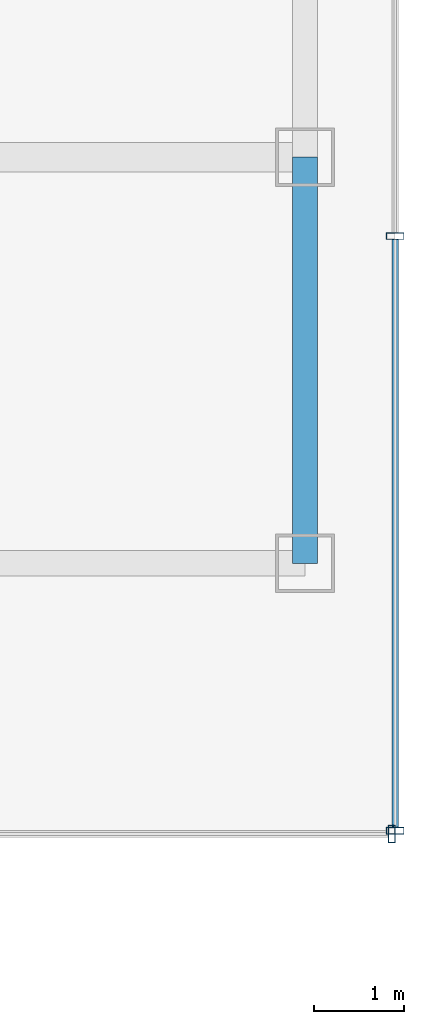
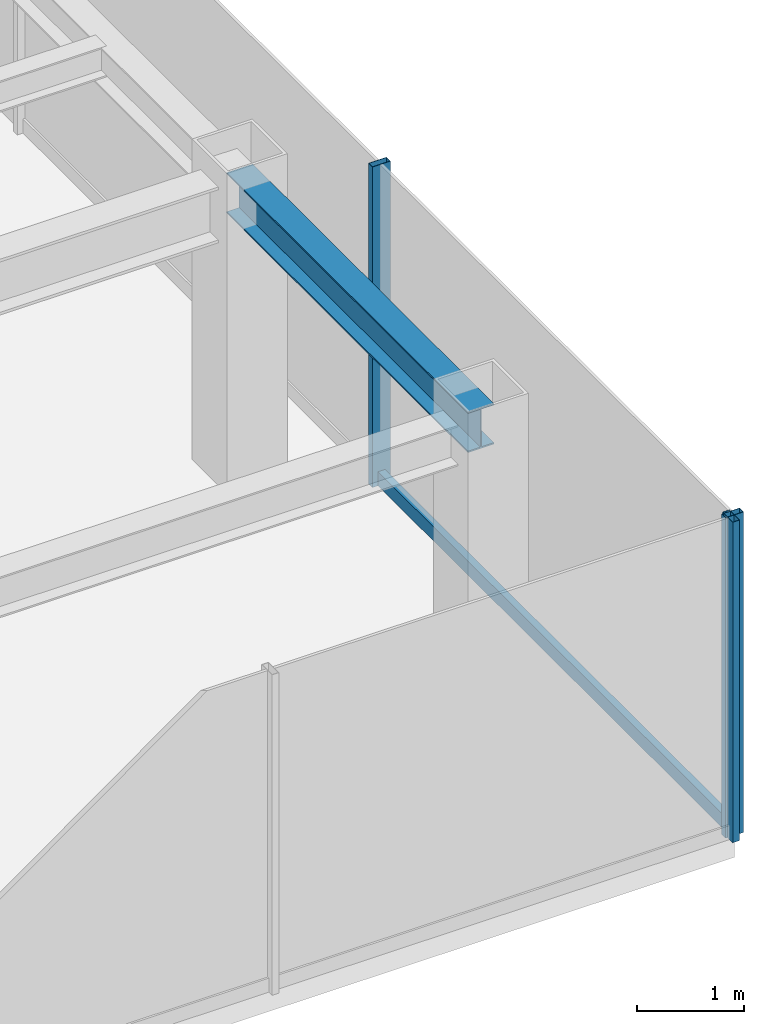
# One storey, part 11 of 25: 4 members, 1 beam, 2 elements without a shape of their own.
"""IFC4 building model written with IfcOpenShell, lengths in metres."""

import ifcopenshell
import ifcopenshell.guid

model = None  # the IFC model being written
_history = None  # IfcOwnerHistory: only IFC2X3 demands one
_inside = {}  # id of a spatial element -> (the spatial element, [elements in it])
_under = {}  # id of a project, library or spatial element -> (it, [spatial elements below it])
_declared = {}  # id of a project -> (the project, [libraries it declares])
_typed = {}  # id of a type object -> (the type object, [elements of that type])
_made_of = {}  # id of a material, layer set ... -> (it, [elements and type objects made of it])


def new_model(schema):
    """Start an empty IFC model of exactly this schema.

    Asked for "IFC4X3", IfcOpenShell would pick the latest addendum, in which some entities
    have other attributes; the version numbers below select the first issue.
    IFC2X3 requires an IfcOwnerHistory on every rooted entity: one is made here for all.
    """
    global model, _history
    if schema == "IFC4X3":
        model = ifcopenshell.file(schema_version=(4, 3, 0, 0))
    else:
        model = ifcopenshell.file(schema=schema)
    _inside.clear()
    _under.clear()
    _declared.clear()
    _typed.clear()
    _made_of.clear()
    _history = None
    if model.schema == "IFC2X3":
        org = make("IfcOrganization", Name="unknown")
        user = make(
            "IfcPersonAndOrganization",
            ThePerson=make("IfcPerson", FamilyName="unknown"),
            TheOrganization=org,
        )
        app = make(
            "IfcApplication",
            ApplicationDeveloper=org,
            Version="unknown",
            ApplicationFullName="unknown",
            ApplicationIdentifier="unknown",
        )
        _history = make(
            "IfcOwnerHistory",
            OwningUser=user,
            OwningApplication=app,
            ChangeAction="ADDED",
            CreationDate=0,
        )
    return model


def make(cls, **values):
    """One entity of the class cls with the attributes given. An attribute that is None is left unset."""
    return model.create_entity(
        cls, **{name: value for name, value in values.items() if value is not None}
    )


def rooted(cls, **values):
    """An entity with a GlobalId (a new one), such as an element, a storey or a relation."""
    return make(cls, GlobalId=ifcopenshell.guid.new(), OwnerHistory=_history, **values)


def si_unit(unit_type, name, prefix=None):
    """IfcSIUnit, for example si_unit("LENGTHUNIT", "METRE", prefix="MILLI")."""
    return make("IfcSIUnit", UnitType=unit_type, Prefix=prefix, Name=name)


def derived_unit(unit_type, elements):
    """IfcDerivedUnit: a product of units, each with its exponent."""
    return make(
        "IfcDerivedUnit",
        Elements=[
            make("IfcDerivedUnitElement", Unit=unit, Exponent=power)
            for unit, power in elements
        ],
        UnitType=unit_type,
    )


def assignment(units):
    """IfcUnitAssignment: the units of a project."""
    return None if units is None else make("IfcUnitAssignment", Units=units)


def point(xyz):
    """IfcCartesianPoint."""
    return None if xyz is None else make("IfcCartesianPoint", Coordinates=xyz)


def direction(xyz):
    """IfcDirection."""
    return None if xyz is None else make("IfcDirection", DirectionRatios=xyz)


def frame(location, z_axis=None, x_axis=None):
    """IfcAxis2Placement3D, a coordinate frame: its origin and axes. An axis left out is left unset."""
    return make(
        "IfcAxis2Placement3D",
        Location=point(location),
        Axis=direction(z_axis),
        RefDirection=direction(x_axis),
    )


def frame_2d(location, x_axis=None):
    """IfcAxis2Placement2D, a coordinate frame in the plane: its origin and x axis."""
    return make(
        "IfcAxis2Placement2D", Location=point(location), RefDirection=direction(x_axis)
    )


def origin():
    """The frame at (0, 0, 0) with its axes left unset."""
    return frame((0.0, 0.0, 0.0))


def origin_2d():
    """The frame at (0, 0) in the plane with its x axis left unset."""
    return frame_2d((0.0, 0.0))


def place(relative_to, where):
    """IfcLocalPlacement: puts the frame where relative to a parent placement (None: the world)."""
    return make(
        "IfcLocalPlacement", PlacementRelTo=relative_to, RelativePlacement=where
    )


def context(
    kind, dimensions, precision=None, world=None, true_north=None, identifier=None
):
    """IfcGeometricRepresentationContext, for example the 3D "Model" context."""
    return make(
        "IfcGeometricRepresentationContext",
        ContextIdentifier=identifier,
        ContextType=kind,
        CoordinateSpaceDimension=dimensions,
        Precision=precision,
        WorldCoordinateSystem=world,
        TrueNorth=true_north,
    )


def subcontext(parent, identifier, kind, view, scale=None):
    """IfcGeometricRepresentationSubContext, for example "Body" below "Model"."""
    return make(
        "IfcGeometricRepresentationSubContext",
        ContextIdentifier=identifier,
        ContextType=kind,
        ParentContext=parent,
        TargetScale=scale,
        TargetView=view,
    )


def project(units=None, contexts=None):
    """IfcProject with its units and contexts."""
    return rooted(
        "IfcProject",
        Name="project",
        RepresentationContexts=contexts,
        UnitsInContext=assignment(units),
    )


def spatial(cls, under=None, at=None, **own):
    """A site, building, storey or space (cls), placed at a placement, below another one or the project."""
    s = rooted(cls, ObjectPlacement=at, **own)
    if under is not None:
        _under.setdefault(under.id(), (under, []))[1].append(s)
    return s


def profile(cls, at=None, kind="AREA", **sizes):
    """A parametric profile (cls). Its sizes go by their IFC names, for example OverallWidth=200.0."""
    return make(cls, ProfileType=kind, Position=at, **sizes)


def hollow_rectangle(**sizes):
    """IfcRectangleHollowProfileDef."""
    return profile("IfcRectangleHollowProfileDef", **sizes)


def i_section(**sizes):
    """IfcIShapeProfileDef."""
    return profile("IfcIShapeProfileDef", **sizes)


def extrude(swept, where, along, depth):
    """IfcExtrudedAreaSolid: the profile swept, set in the frame where, extruded along a direction by depth."""
    return make(
        "IfcExtrudedAreaSolid",
        SweptArea=swept,
        Position=where,
        ExtrudedDirection=direction(along),
        Depth=depth,
    )


def shape(context_of_items, identifier, shape_type, items):
    """IfcShapeRepresentation: the items that make up one representation, for example the "Body"."""
    return make(
        "IfcShapeRepresentation",
        ContextOfItems=context_of_items,
        RepresentationIdentifier=identifier,
        RepresentationType=shape_type,
        Items=items,
    )


def source(mapping_origin, context_of_items, identifier, shape_type, items):
    """IfcRepresentationMap: a shape defined once, which mapped items show again and again."""
    return make(
        "IfcRepresentationMap",
        MappingOrigin=mapping_origin,
        MappedRepresentation=shape(context_of_items, identifier, shape_type, items),
    )


def transform(
    local_origin,
    x_axis=None,
    y_axis=None,
    z_axis=None,
    scale=None,
    scale2=None,
    scale3=None,
    uniform=True,
):
    """IfcCartesianTransformationOperator3D, or its non-uniform kind. x_axis, y_axis, z_axis: its Axis1, 2, 3."""
    if uniform:
        return make(
            "IfcCartesianTransformationOperator3D",
            Axis1=direction(x_axis),
            Axis2=direction(y_axis),
            LocalOrigin=point(local_origin),
            Scale=scale,
            Axis3=direction(z_axis),
        )
    return make(
        "IfcCartesianTransformationOperator3DnonUniform",
        Axis1=direction(x_axis),
        Axis2=direction(y_axis),
        LocalOrigin=point(local_origin),
        Scale=scale,
        Axis3=direction(z_axis),
        Scale2=scale2,
        Scale3=scale3,
    )


def mapped(mapping_source, mapping_target):
    """IfcMappedItem: shows the shape of a source again, moved by a transform."""
    return make(
        "IfcMappedItem", MappingSource=mapping_source, MappingTarget=mapping_target
    )


def material(Name=None, Category=None):
    """IfcMaterial."""
    return make("IfcMaterial", Name=Name, Category=Category)


def material_profile(
    of_material, cross_section, Name=None, Category=None, Priority=None
):
    """IfcMaterialProfile: a cross section and its material."""
    return make(
        "IfcMaterialProfile",
        Name=Name,
        Material=of_material,
        Profile=cross_section,
        Priority=Priority,
        Category=Category,
    )


def profile_set(profiles, Name=None, composite=None):
    """IfcMaterialProfileSet."""
    return make(
        "IfcMaterialProfileSet",
        Name=Name,
        MaterialProfiles=profiles,
        CompositeProfile=composite,
    )


def made_of(thing, what):
    """Note that an element or type object is made of a material, layer set ...; save() writes the relation."""
    if what is not None:
        _made_of.setdefault(what.id(), (what, []))[1].append(thing)
    return thing


def type_object(cls, material=None, **own):
    """A type object (cls), such as IfcWallType, which elements share."""
    return made_of(rooted(cls, **own), material)


def element(
    cls,
    number,
    at=None,
    inside=None,
    cuts=None,
    type_object=None,
    material=None,
    context=None,
    identifier="Body",
    shape_type=None,
    held_by="IfcProductDefinitionShape",
    body=None,
    shapes=None,
    **own,
):
    """One element of the class cls, such as IfcWall. Its Tag is "e" and its number.

    at: its placement. inside: the storey or other place that contains it. cuts: it is an
    opening in that element (IfcRelVoidsElement). A single representation is given by context,
    identifier, shape_type and body (its items); several are given by shapes. held_by: the class
    of the entity that holds the representations. save() writes the other relations.
    """
    e = rooted(cls, Tag="e%d" % number, ObjectPlacement=at, **own)
    if body is not None:
        shapes = [shape(context, identifier, shape_type, body)]
    if shapes is not None:
        e.Representation = make(held_by, Representations=shapes)
    if inside is not None:
        _inside.setdefault(inside.id(), (inside, []))[1].append(e)
    if cuts is not None:
        rooted(
            "IfcRelVoidsElement", RelatingBuildingElement=cuts, RelatedOpeningElement=e
        )
    if type_object is not None:
        _typed.setdefault(type_object.id(), (type_object, []))[1].append(e)
    return made_of(e, material)


def aggregate(whole, parts):
    """IfcRelAggregates: a whole, such as a stair, and the parts it consists of."""
    return rooted("IfcRelAggregates", RelatingObject=whole, RelatedObjects=parts)


def save(model, path):
    """Write the relations noted so far, then the file.

    IfcRelAggregates (storeys below a building ...), IfcRelContainedInSpatialStructure (elements
    in a storey), IfcRelDefinesByType, IfcRelAssociatesMaterial and IfcRelDeclares: one each for
    every whole, place, type object, material and project.
    """
    for whole, parts in _under.values():
        aggregate(whole, parts)
    for where, things in _inside.values():
        rooted(
            "IfcRelContainedInSpatialStructure",
            RelatedElements=things,
            RelatingStructure=where,
        )
    for kind, things in _typed.values():
        rooted("IfcRelDefinesByType", RelatedObjects=things, RelatingType=kind)
    for what, things in _made_of.values():
        rooted("IfcRelAssociatesMaterial", RelatedObjects=things, RelatingMaterial=what)
    for by, libraries in _declared.values():
        rooted("IfcRelDeclares", RelatingContext=by, RelatedDefinitions=libraries)
    model.write(path)


model = new_model("IFC4")

# Units and contexts
model_context = context("Model", 3, precision=1e-05, world=origin(), true_north=direction((0.0, 1.0)))
body_context = subcontext(model_context, "Body", "Model", "MODEL_VIEW")
ifc_project = project(units=[si_unit("LENGTHUNIT", "METRE"), si_unit("AREAUNIT", "SQUARE_METRE"), si_unit("VOLUMEUNIT", "CUBIC_METRE"), si_unit("PLANEANGLEUNIT", "RADIAN"), si_unit("MASSUNIT", "GRAM", prefix="KILO"), derived_unit("THERMALTRANSMITTANCEUNIT", [(si_unit("POWERUNIT", "WATT"), 1), (si_unit("LENGTHUNIT", "METRE"), -2), (si_unit("THERMODYNAMICTEMPERATUREUNIT", "KELVIN"), -1)])], contexts=[model_context])

# Site, building, storey
site_placement = place(None, origin())
site = spatial("IfcSite", under=ifc_project, at=site_placement, CompositionType="ELEMENT")
building_placement = place(site_placement, origin())
building = spatial("IfcBuilding", under=site, at=building_placement, Name="Skarnbrae Concourse Arena and Tower", CompositionType="ELEMENT")
storey_placement = place(building_placement, frame((0.0, 0.0, 147.89990234375)))
storey = spatial("IfcBuildingStorey", under=building, at=storey_placement, Name="L37", CompositionType="ELEMENT", Elevation=147.89990234375)

# Beam
ifc_material_1 = material(Name="Steel CSA G40.21 350W", Category="steel")
ifc_material_profile_1 = material_profile(ifc_material_1, i_section(OverallWidth=0.280029296875, OverallDepth=0.462890625, WebThickness=0.0107421875, FlangeThickness=0.017333984375, at=origin_2d()), Name="W460X113")
ifc_profile_set_1 = profile_set([ifc_material_profile_1], Name="Steel CSA G40.21 350W")
beam_type = type_object("IfcBeamType", Name="BM-SPAN-W460X113", PredefinedType="SPANDREL", material=ifc_profile_set_1)
shared_shape_1 = source(origin(), body_context, "Body", "SweptSolid", [
    extrude(i_section(OverallWidth=0.280029296875, OverallDepth=0.462890625, WebThickness=0.0107421875, FlangeThickness=0.017333984375, at=origin_2d()), origin(), (0.0, 0.0, 1.0), 4.5),
])
beam_placement = place(storey_placement, frame((49.0, 9.5, 3.168701171875), z_axis=(0.0, 1.0, 0.0), x_axis=(-1.0, 0.0, 0.0)))
element("IfcBeam", 1, at=beam_placement, inside=storey, type_object=beam_type, Name="L37 Perimeter spandrel X49.0-1", PredefinedType="SPANDREL", context=body_context, shape_type="MappedRepresentation", body=[
    mapped(shared_shape_1, transform((0.0, 0.0, 0.0))),
])

# Curtain wall, member
ifc_material_2 = material(Name="Bronze anodised aluminium 6063-T6", Category="aluminium")
curtain_wall_type = type_object("IfcCurtainWallType", Name="CW-SYS-04-MIDZONE", PredefinedType="USERDEFINED", material=ifc_material_2)
curtain_wall_1_placement = place(storey_placement, origin())
curtain_wall_1 = element("IfcCurtainWall", 2, at=curtain_wall_1_placement, inside=storey, type_object=curtain_wall_type, Name="L37 Unitised curtain wall CW-L37-E03", ObjectType="UNITISED CURTAIN WALL", PredefinedType="USERDEFINED")
ifc_material_profile_2 = material_profile(ifc_material_2, hollow_rectangle(XDim=0.074951171875, YDim=0.195068359375, WallThickness=0.00439453125, at=origin_2d()), Name="ALU-MULL-75X195")
ifc_profile_set_2 = profile_set([ifc_material_profile_2], Name="Bronze anodised aluminium 6063-T6")
member_type_1 = type_object("IfcMemberType", Name="CWM-CW-04", PredefinedType="MULLION", material=ifc_profile_set_2)
shared_shape_2 = source(origin(), body_context, "Body", "SweptSolid", [
    extrude(hollow_rectangle(XDim=0.074951171875, YDim=0.195068359375, WallThickness=0.00439453125, at=origin_2d()), origin(), (0.0, 0.0, 1.0), 3.650146484375),
])
member_1_placement = place(storey_placement, frame((49.96240234375, 6.5, 0.0), z_axis=(0.0, 0.0, 1.0), x_axis=(1.0, 0.0, 0.0)))
member_1 = element("IfcMember", 3, at=member_1_placement, type_object=member_type_1, Name="CW-L37-E03 Mullion 3", PredefinedType="MULLION", context=body_context, shape_type="MappedRepresentation", body=[
    mapped(shared_shape_2, transform((0.0, 0.0, 0.0))),
])
aggregate(curtain_wall_1, [member_1])

# Curtain wall, members
curtain_wall_2_placement = place(storey_placement, origin())
curtain_wall_2 = element("IfcCurtainWall", 4, at=curtain_wall_2_placement, inside=storey, type_object=curtain_wall_type, Name="L37 Unitised curtain wall CW-L37-E04", ObjectType="UNITISED CURTAIN WALL", PredefinedType="USERDEFINED")
member_2_placement = place(storey_placement, frame((50.0, 6.53759765625, 0.0), z_axis=(0.0, 0.0, 1.0), x_axis=(0.0, 1.0, 0.0)))
member_2 = element("IfcMember", 5, at=member_2_placement, type_object=member_type_1, Name="CW-L37-E04 Mullion 1", PredefinedType="MULLION", context=body_context, shape_type="MappedRepresentation", body=[
    mapped(shared_shape_2, transform((0.0, 0.0, 0.0))),
])
member_3_placement = place(storey_placement, frame((50.0, 13.125, 0.0), z_axis=(0.0, 0.0, 1.0), x_axis=(0.0, 1.0, 0.0)))
member_3 = element("IfcMember", 6, at=member_3_placement, type_object=member_type_1, Name="CW-L37-E04 Mullion 2", PredefinedType="MULLION", context=body_context, shape_type="MappedRepresentation", body=[
    mapped(shared_shape_2, transform((0.0, 0.0, 0.0))),
])
ifc_material_profile_3 = material_profile(ifc_material_2, hollow_rectangle(XDim=0.074951171875, YDim=0.159912109375, WallThickness=0.00439453125, at=origin_2d()), Name="ALU-TRAN-75X160")
ifc_profile_set_3 = profile_set([ifc_material_profile_3], Name="Bronze anodised aluminium 6063-T6")
member_type_2 = type_object("IfcMemberType", Name="CWT-CW-04", PredefinedType="USERDEFINED", material=ifc_profile_set_3)
shared_shape_3 = source(origin(), body_context, "Body", "SweptSolid", [
    extrude(hollow_rectangle(XDim=0.074951171875, YDim=0.159912109375, WallThickness=0.00439453125, at=origin_2d()), origin(), (0.0, 0.0, 1.0), 6.512451171875),
])
member_4_placement = place(storey_placement, frame((50.0, 6.574951171875, 0.080078125), z_axis=(0.0, 1.0, 0.0), x_axis=(-1.0, 0.0, 0.0)))
member_4 = element("IfcMember", 7, at=member_4_placement, type_object=member_type_2, Name="CW-L37-E04 Transom 1", ObjectType="TRANSOM", PredefinedType="USERDEFINED", context=body_context, shape_type="MappedRepresentation", body=[
    mapped(shared_shape_3, transform((0.0, 0.0, 0.0))),
])
aggregate(curtain_wall_2, [member_2, member_3, member_4])

save(model, "model.ifc")
